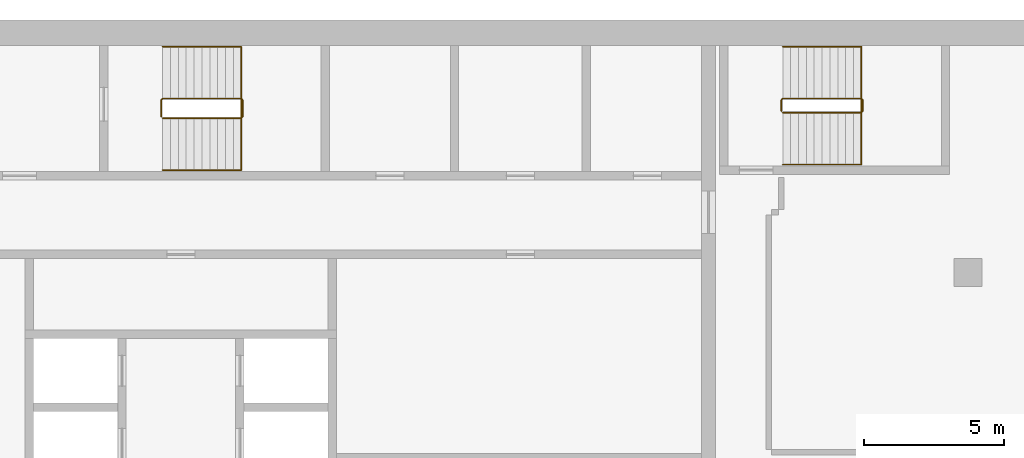
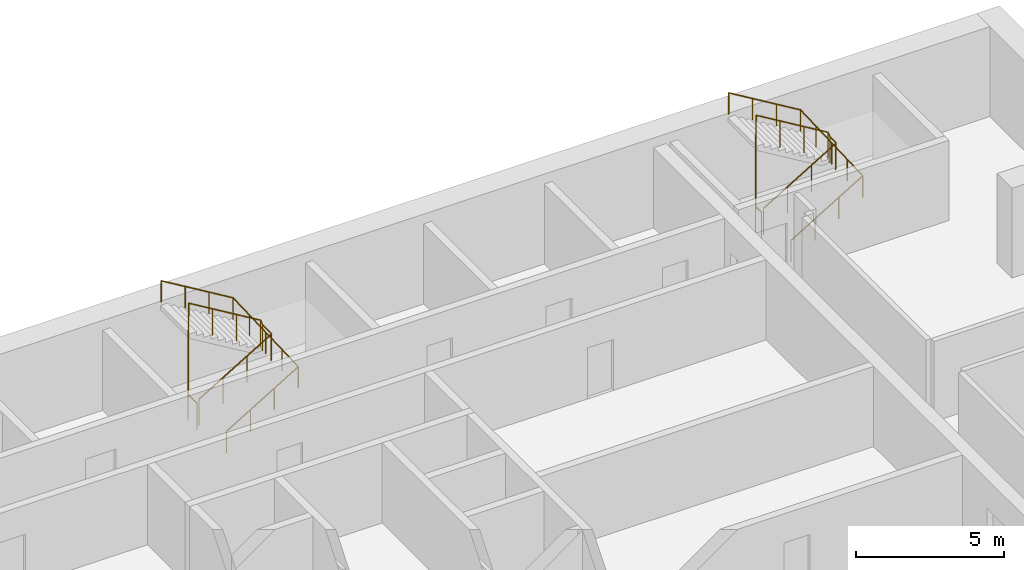
# One storey, part 16 of 16: 4 railings.
"""IFC4 building model written with IfcOpenShell, lengths in metres."""

from ifc_helpers import new_model, si_unit, direction, frame, origin, origin_2d, place, context, subcontext, project, spatial, circle, extrude, material, type_object, element, save


model = new_model("IFC4")

# Units and contexts
model_context = context("Model", 3, precision=1e-05, world=origin(), true_north=direction((0.0, 1.0)))
body_context = subcontext(model_context, "Body", "Model", "MODEL_VIEW")
ifc_project = project(units=[si_unit("LENGTHUNIT", "METRE"), si_unit("AREAUNIT", "SQUARE_METRE"), si_unit("VOLUMEUNIT", "CUBIC_METRE"), si_unit("PLANEANGLEUNIT", "RADIAN"), si_unit("MASSUNIT", "GRAM", prefix="KILO")], contexts=[model_context])

# Site, building, storey
site_placement = place(None, origin())
site = spatial("IfcSite", under=ifc_project, at=site_placement, CompositionType="ELEMENT")
building_placement = place(site_placement, origin())
building = spatial("IfcBuilding", under=site, at=building_placement, Name="Hunhe Ridgeline Campus", CompositionType="ELEMENT")
storey_placement = place(building_placement, frame((0.0, 0.0, 254.0)))
storey = spatial("IfcBuildingStorey", under=building, at=storey_placement, Name="L65", CompositionType="ELEMENT", Elevation=254.0)

# Railings
ifc_material_1 = material(Name="Stainless steel balustrade", Category="steel")
railing_type_1 = type_object("IfcRailingType", Name="Stair guard 1100 stainless", PredefinedType="GUARDRAIL", material=ifc_material_1)
railing_1_placement = place(storey_placement, frame((16.300048828125, 95.5, 0.168212890625)))
element("IfcRailing", 1, at=railing_1_placement, inside=storey, type_object=railing_type_1, Name="L65 stair S1 guard", PredefinedType="GUARDRAIL", context=body_context, shape_type="SweptSolid", body=[
    extrude(circle(Radius=0.02392578125, at=origin_2d()), frame((0.0, 0.0, 1.076171875), z_axis=(0.857242210791, 0.0, 0.514913383045), x_axis=(0.0, 1.0, 0.0)), (0.0, 0.0, 1.0), 3.266357421875),
    extrude(circle(Radius=0.02392578125, at=origin_2d()), frame((2.800048828125, 0.0, 2.7578125), z_axis=(0.705375805398, 0.708833529934, 0.0), x_axis=(-0.708833529934, 0.705375805398, 0.0)), (0.0, 0.0, 1.0), 0.070556640625),
    extrude(circle(Radius=0.02392578125, at=origin_2d()), frame((2.849853515625, 0.050048828125, 2.7578125), z_axis=(0.0, 1.0, 0.0), x_axis=(-1.0, 0.0, 0.0)), (0.0, 0.0, 1.0), 0.599853515625),
    extrude(circle(Radius=0.02392578125, at=origin_2d()), frame((2.849853515625, 0.64990234375, 2.7578125), z_axis=(-0.273343290215, 0.274683208305, 0.921863645432), x_axis=(-0.708833529934, -0.705375805398, 0.0)), (0.0, 0.0, 1.0), 0.18212890625),
    extrude(circle(Radius=0.02392578125, at=origin_2d()), frame((2.800048828125, 0.699951171875, 2.92578125), z_axis=(-0.857242210791, 0.0, 0.514913383045), x_axis=(0.0, -1.0, 0.0)), (0.0, 0.0, 1.0), 3.266357421875),
    extrude(circle(Radius=0.02392578125, at=origin_2d()), frame((0.0, 0.699951171875, 4.60791015625), z_axis=(-0.013524414389, -0.013524414389, -0.999817073484), x_axis=(0.707106781187, -0.707106781187, 0.0)), (0.0, 0.0, 1.0), 3.70068359375),
    extrude(circle(Radius=0.02392578125, at=origin_2d()), frame((-0.050048828125, 0.64990234375, 0.90771484375), z_axis=(0.0, -1.0, 0.0), x_axis=(1.0, 0.0, 0.0)), (0.0, 0.0, 1.0), 0.599853515625),
    extrude(circle(Radius=0.02099609375, at=origin_2d()), origin(), (0.0, 0.0, 1.0), 1.052001953125),
    extrude(circle(Radius=0.02099609375, at=origin_2d()), frame((0.933349609375, 0.0, 0.560546875)), (0.0, 0.0, 1.0), 1.052001953125),
    extrude(circle(Radius=0.02099609375, at=origin_2d()), frame((1.86669921875, 0.0, 1.121337890625)), (0.0, 0.0, 1.0), 1.052001953125),
    extrude(circle(Radius=0.02099609375, at=origin_2d()), frame((2.800048828125, 0.0, 1.681884765625)), (0.0, 0.0, 1.0), 1.052001953125),
    extrude(circle(Radius=0.02099609375, at=origin_2d()), frame((2.849853515625, 0.050048828125, 1.681884765625)), (0.0, 0.0, 1.0), 1.052001953125),
    extrude(circle(Radius=0.02099609375, at=origin_2d()), frame((2.849853515625, 0.64990234375, 1.681884765625)), (0.0, 0.0, 1.0), 1.052001953125),
    extrude(circle(Radius=0.02099609375, at=origin_2d()), frame((2.800048828125, 0.699951171875, 1.849853515625)), (0.0, 0.0, 1.0), 1.052001953125),
    extrude(circle(Radius=0.02099609375, at=origin_2d()), frame((1.86669921875, 0.699951171875, 2.410400390625)), (0.0, 0.0, 1.0), 1.052001953125),
    extrude(circle(Radius=0.02099609375, at=origin_2d()), frame((0.933349609375, 0.699951171875, 2.97119140625)), (0.0, 0.0, 1.0), 1.052001953125),
    extrude(circle(Radius=0.02099609375, at=origin_2d()), frame((0.0, 0.699951171875, 3.53173828125)), (0.0, 0.0, 1.0), 1.052001953125),
    extrude(circle(Radius=0.02099609375, at=origin_2d()), frame((-0.012451171875, 0.6875, 2.606689453125)), (0.0, 0.0, 1.0), 1.052001953125),
    extrude(circle(Radius=0.02099609375, at=origin_2d()), frame((-0.02490234375, 0.6748046875, 1.681640625)), (0.0, 0.0, 1.0), 1.052001953125),
    extrude(circle(Radius=0.02099609375, at=origin_2d()), frame((-0.03759765625, 0.662353515625, 0.7568359375)), (0.0, 0.0, 1.0), 1.052001953125),
    extrude(circle(Radius=0.02099609375, at=origin_2d()), frame((-0.050048828125, 0.64990234375, -0.168212890625)), (0.0, 0.0, 1.0), 1.052001953125),
    extrude(circle(Radius=0.02099609375, at=origin_2d()), frame((-0.050048828125, 0.050048828125, -0.168212890625)), (0.0, 0.0, 1.0), 1.052001953125),
])
railing_2_placement = place(storey_placement, frame((38.39990234375, 95.699951171875, 0.168212890625)))
element("IfcRailing", 2, at=railing_2_placement, inside=storey, type_object=railing_type_1, Name="L65 stair E1 guard", PredefinedType="GUARDRAIL", context=body_context, shape_type="SweptSolid", body=[
    extrude(circle(Radius=0.02392578125, at=origin_2d()), frame((0.0, 0.0, 1.076171875), z_axis=(0.857242210791, 0.0, 0.514913383045), x_axis=(0.0, 1.0, 0.0)), (0.0, 0.0, 1.0), 3.266357421875),
    extrude(circle(Radius=0.02392578125, at=origin_2d()), frame((2.800048828125, 0.0, 2.7578125), z_axis=(0.707106781187, 0.707106781187, 0.0), x_axis=(-0.707106781187, 0.707106781187, 0.0)), (0.0, 0.0, 1.0), 0.07080078125),
    extrude(circle(Radius=0.02392578125, at=origin_2d()), frame((2.85009765625, 0.050048828125, 2.7578125), z_axis=(0.0, 1.0, 0.0), x_axis=(-1.0, 0.0, 0.0)), (0.0, 0.0, 1.0), 0.39990234375),
    extrude(circle(Radius=0.02392578125, at=origin_2d()), frame((2.85009765625, 0.449951171875, 2.7578125), z_axis=(-0.274582412415, 0.274582412415, 0.921525364591), x_axis=(-0.707106781187, -0.707106781187, 0.0)), (0.0, 0.0, 1.0), 0.182373046875),
    extrude(circle(Radius=0.02392578125, at=origin_2d()), frame((2.800048828125, 0.5, 2.92578125), z_axis=(-0.857242210791, 0.0, 0.514913383045), x_axis=(0.0, -1.0, 0.0)), (0.0, 0.0, 1.0), 3.266357421875),
    extrude(circle(Radius=0.02392578125, at=origin_2d()), frame((0.0, 0.5, 4.60791015625), z_axis=(-0.013458453615, -0.013524426427, -0.999817963389), x_axis=(0.708833529934, -0.705375805398, 0.0)), (0.0, 0.0, 1.0), 3.70068359375),
    extrude(circle(Radius=0.02392578125, at=origin_2d()), frame((-0.0498046875, 0.449951171875, 0.90771484375), z_axis=(0.0, -1.0, 0.0), x_axis=(1.0, 0.0, 0.0)), (0.0, 0.0, 1.0), 0.39990234375),
    extrude(circle(Radius=0.02099609375, at=origin_2d()), origin(), (0.0, 0.0, 1.0), 1.052001953125),
    extrude(circle(Radius=0.02099609375, at=origin_2d()), frame((0.933349609375, 0.0, 0.560546875)), (0.0, 0.0, 1.0), 1.052001953125),
    extrude(circle(Radius=0.02099609375, at=origin_2d()), frame((1.86669921875, 0.0, 1.121337890625)), (0.0, 0.0, 1.0), 1.052001953125),
    extrude(circle(Radius=0.02099609375, at=origin_2d()), frame((2.800048828125, 0.0, 1.681884765625)), (0.0, 0.0, 1.0), 1.052001953125),
    extrude(circle(Radius=0.02099609375, at=origin_2d()), frame((2.85009765625, 0.050048828125, 1.681884765625)), (0.0, 0.0, 1.0), 1.052001953125),
    extrude(circle(Radius=0.02099609375, at=origin_2d()), frame((2.85009765625, 0.449951171875, 1.681884765625)), (0.0, 0.0, 1.0), 1.052001953125),
    extrude(circle(Radius=0.02099609375, at=origin_2d()), frame((2.800048828125, 0.5, 1.849853515625)), (0.0, 0.0, 1.0), 1.052001953125),
    extrude(circle(Radius=0.02099609375, at=origin_2d()), frame((1.86669921875, 0.5, 2.410400390625)), (0.0, 0.0, 1.0), 1.052001953125),
    extrude(circle(Radius=0.02099609375, at=origin_2d()), frame((0.933349609375, 0.5, 2.97119140625)), (0.0, 0.0, 1.0), 1.052001953125),
    extrude(circle(Radius=0.02099609375, at=origin_2d()), frame((0.0, 0.5, 3.53173828125)), (0.0, 0.0, 1.0), 1.052001953125),
    extrude(circle(Radius=0.02099609375, at=origin_2d()), frame((-0.012451171875, 0.487548828125, 2.606689453125)), (0.0, 0.0, 1.0), 1.052001953125),
    extrude(circle(Radius=0.02099609375, at=origin_2d()), frame((-0.02490234375, 0.47509765625, 1.681640625)), (0.0, 0.0, 1.0), 1.052001953125),
    extrude(circle(Radius=0.02099609375, at=origin_2d()), frame((-0.037353515625, 0.46240234375, 0.7568359375)), (0.0, 0.0, 1.0), 1.052001953125),
    extrude(circle(Radius=0.02099609375, at=origin_2d()), frame((-0.0498046875, 0.449951171875, -0.168212890625)), (0.0, 0.0, 1.0), 1.052001953125),
    extrude(circle(Radius=0.02099609375, at=origin_2d()), frame((-0.0498046875, 0.050048828125, -0.168212890625)), (0.0, 0.0, 1.0), 1.052001953125),
])
ifc_material_2 = material(Name="Stainless steel handrail", Category="steel")
railing_type_2 = type_object("IfcRailingType", Name="Stair handrail 900 stainless", PredefinedType="HANDRAIL", material=ifc_material_2)
railing_3_placement = place(storey_placement, frame((16.300048828125, 93.64990234375, 0.168212890625)))
element("IfcRailing", 3, at=railing_3_placement, inside=storey, type_object=railing_type_2, Name="L65 stair S1 handrail", PredefinedType="HANDRAIL", context=body_context, shape_type="SweptSolid", body=[
    extrude(circle(Radius=0.02392578125, at=origin_2d()), frame((0.0, 0.0, 0.8759765625), z_axis=(0.857242210791, 0.0, 0.514913383045), x_axis=(0.0, 1.0, 0.0)), (0.0, 0.0, 1.0), 3.266357421875),
    extrude(circle(Radius=0.02392578125, at=origin_2d()), frame((2.800048828125, 0.0, 2.5576171875), z_axis=(0.0, 0.999272189381, 0.038145662004), x_axis=(-1.0, 0.0, 0.0)), (0.0, 0.0, 1.0), 4.4033203125),
    extrude(circle(Radius=0.02392578125, at=origin_2d()), frame((2.800048828125, 4.400146484375, 2.7255859375), z_axis=(-0.857242210791, 0.0, 0.514913383045), x_axis=(0.0, -1.0, 0.0)), (0.0, 0.0, 1.0), 3.266357421875),
    extrude(circle(Radius=0.02099609375, at=origin_2d()), origin(), (0.0, 0.0, 1.0), 0.851806640625),
    extrude(circle(Radius=0.02099609375, at=origin_2d()), frame((0.933349609375, 0.0, 0.560546875)), (0.0, 0.0, 1.0), 0.851806640625),
    extrude(circle(Radius=0.02099609375, at=origin_2d()), frame((1.86669921875, 0.0, 1.121337890625)), (0.0, 0.0, 1.0), 0.851806640625),
    extrude(circle(Radius=0.02099609375, at=origin_2d()), frame((2.800048828125, 0.0, 1.681884765625)), (0.0, 0.0, 1.0), 0.851806640625),
    extrude(circle(Radius=0.02099609375, at=origin_2d()), frame((2.800048828125, 1.10009765625, 1.723876953125)), (0.0, 0.0, 1.0), 0.851806640625),
    extrude(circle(Radius=0.02099609375, at=origin_2d()), frame((2.800048828125, 2.2001953125, 1.765869140625)), (0.0, 0.0, 1.0), 0.851806640625),
    extrude(circle(Radius=0.02099609375, at=origin_2d()), frame((2.800048828125, 3.300048828125, 1.807861328125)), (0.0, 0.0, 1.0), 0.851806640625),
    extrude(circle(Radius=0.02099609375, at=origin_2d()), frame((2.800048828125, 4.400146484375, 1.849853515625)), (0.0, 0.0, 1.0), 0.851806640625),
    extrude(circle(Radius=0.02099609375, at=origin_2d()), frame((1.86669921875, 4.400146484375, 2.410400390625)), (0.0, 0.0, 1.0), 0.851806640625),
    extrude(circle(Radius=0.02099609375, at=origin_2d()), frame((0.933349609375, 4.400146484375, 2.97119140625)), (0.0, 0.0, 1.0), 0.851806640625),
    extrude(circle(Radius=0.02099609375, at=origin_2d()), frame((0.0, 4.400146484375, 3.53173828125)), (0.0, 0.0, 1.0), 0.851806640625),
])
railing_4_placement = place(storey_placement, frame((38.39990234375, 93.85009765625, 0.168212890625)))
element("IfcRailing", 4, at=railing_4_placement, inside=storey, type_object=railing_type_2, Name="L65 stair E1 handrail", PredefinedType="HANDRAIL", context=body_context, shape_type="SweptSolid", body=[
    extrude(circle(Radius=0.02392578125, at=origin_2d()), frame((0.0, 0.0, 0.8759765625), z_axis=(0.857242210791, 0.0, 0.514913383045), x_axis=(0.0, 1.0, 0.0)), (0.0, 0.0, 1.0), 3.266357421875),
    extrude(circle(Radius=0.02392578125, at=origin_2d()), frame((2.800048828125, 0.0, 2.5576171875), z_axis=(0.0, 0.99920123705, 0.039961079526), x_axis=(-1.0, 0.0, 0.0)), (0.0, 0.0, 1.0), 4.203369140625),
    extrude(circle(Radius=0.02392578125, at=origin_2d()), frame((2.800048828125, 4.199951171875, 2.7255859375), z_axis=(-0.857242210791, 0.0, 0.514913383045), x_axis=(0.0, -1.0, 0.0)), (0.0, 0.0, 1.0), 3.266357421875),
    extrude(circle(Radius=0.02099609375, at=origin_2d()), origin(), (0.0, 0.0, 1.0), 0.851806640625),
    extrude(circle(Radius=0.02099609375, at=origin_2d()), frame((0.933349609375, 0.0, 0.560546875)), (0.0, 0.0, 1.0), 0.851806640625),
    extrude(circle(Radius=0.02099609375, at=origin_2d()), frame((1.86669921875, 0.0, 1.121337890625)), (0.0, 0.0, 1.0), 0.851806640625),
    extrude(circle(Radius=0.02099609375, at=origin_2d()), frame((2.800048828125, 0.0, 1.681884765625)), (0.0, 0.0, 1.0), 0.851806640625),
    extrude(circle(Radius=0.02099609375, at=origin_2d()), frame((2.800048828125, 1.050048828125, 1.723876953125)), (0.0, 0.0, 1.0), 0.851806640625),
    extrude(circle(Radius=0.02099609375, at=origin_2d()), frame((2.800048828125, 2.10009765625, 1.765869140625)), (0.0, 0.0, 1.0), 0.851806640625),
    extrude(circle(Radius=0.02099609375, at=origin_2d()), frame((2.800048828125, 3.14990234375, 1.807861328125)), (0.0, 0.0, 1.0), 0.851806640625),
    extrude(circle(Radius=0.02099609375, at=origin_2d()), frame((2.800048828125, 4.199951171875, 1.849853515625)), (0.0, 0.0, 1.0), 0.851806640625),
    extrude(circle(Radius=0.02099609375, at=origin_2d()), frame((1.86669921875, 4.199951171875, 2.410400390625)), (0.0, 0.0, 1.0), 0.851806640625),
    extrude(circle(Radius=0.02099609375, at=origin_2d()), frame((0.933349609375, 4.199951171875, 2.97119140625)), (0.0, 0.0, 1.0), 0.851806640625),
    extrude(circle(Radius=0.02099609375, at=origin_2d()), frame((0.0, 4.199951171875, 3.53173828125)), (0.0, 0.0, 1.0), 0.851806640625),
])

save(model, "model.ifc")
